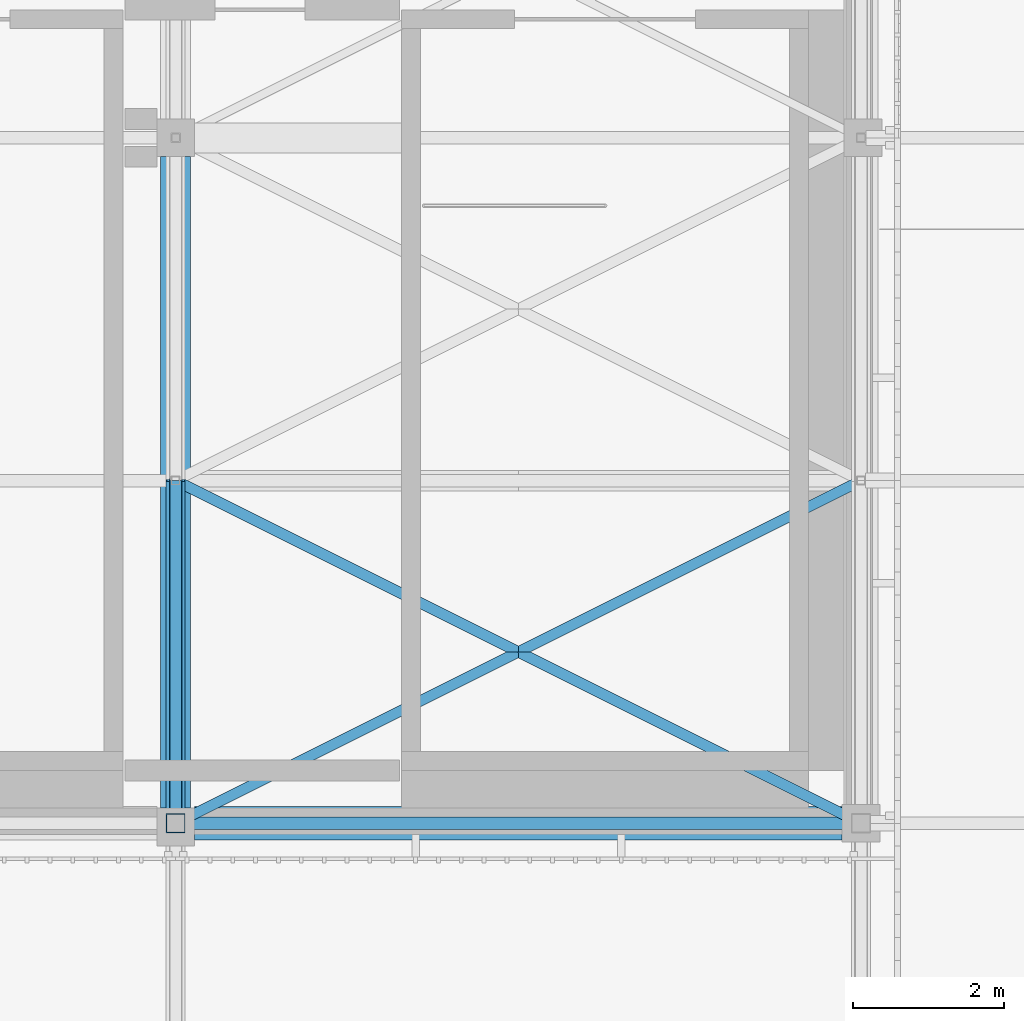
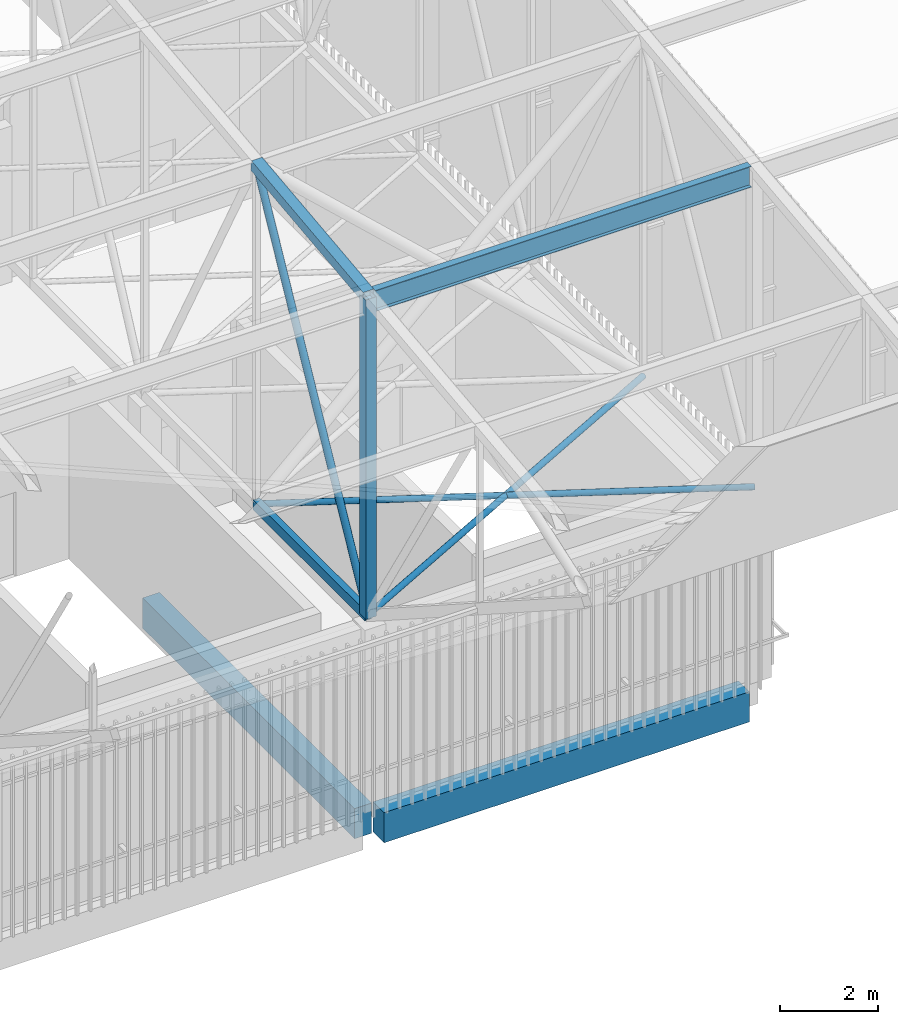
# One storey, part 332 of 500: 7 members, 2 beams.
"""IFC4 building model written with IfcOpenShell, lengths in metres."""

import ifcopenshell
import ifcopenshell.guid

model = None  # the IFC model being written
_history = None  # IfcOwnerHistory: only IFC2X3 demands one
_inside = {}  # id of a spatial element -> (the spatial element, [elements in it])
_under = {}  # id of a project, library or spatial element -> (it, [spatial elements below it])
_declared = {}  # id of a project -> (the project, [libraries it declares])
_typed = {}  # id of a type object -> (the type object, [elements of that type])
_made_of = {}  # id of a material, layer set ... -> (it, [elements and type objects made of it])


def new_model(schema):
    """Start an empty IFC model of exactly this schema.

    Asked for "IFC4X3", IfcOpenShell would pick the latest addendum, in which some entities
    have other attributes; the version numbers below select the first issue.
    IFC2X3 requires an IfcOwnerHistory on every rooted entity: one is made here for all.
    """
    global model, _history
    if schema == "IFC4X3":
        model = ifcopenshell.file(schema_version=(4, 3, 0, 0))
    else:
        model = ifcopenshell.file(schema=schema)
    _inside.clear()
    _under.clear()
    _declared.clear()
    _typed.clear()
    _made_of.clear()
    _history = None
    if model.schema == "IFC2X3":
        org = make("IfcOrganization", Name="unknown")
        user = make(
            "IfcPersonAndOrganization",
            ThePerson=make("IfcPerson", FamilyName="unknown"),
            TheOrganization=org,
        )
        app = make(
            "IfcApplication",
            ApplicationDeveloper=org,
            Version="unknown",
            ApplicationFullName="unknown",
            ApplicationIdentifier="unknown",
        )
        _history = make(
            "IfcOwnerHistory",
            OwningUser=user,
            OwningApplication=app,
            ChangeAction="ADDED",
            CreationDate=0,
        )
    return model


def make(cls, **values):
    """One entity of the class cls with the attributes given. An attribute that is None is left unset."""
    return model.create_entity(
        cls, **{name: value for name, value in values.items() if value is not None}
    )


def rooted(cls, **values):
    """An entity with a GlobalId (a new one), such as an element, a storey or a relation."""
    return make(cls, GlobalId=ifcopenshell.guid.new(), OwnerHistory=_history, **values)


def si_unit(unit_type, name, prefix=None):
    """IfcSIUnit, for example si_unit("LENGTHUNIT", "METRE", prefix="MILLI")."""
    return make("IfcSIUnit", UnitType=unit_type, Prefix=prefix, Name=name)


def assignment(units):
    """IfcUnitAssignment: the units of a project."""
    return None if units is None else make("IfcUnitAssignment", Units=units)


def point(xyz):
    """IfcCartesianPoint."""
    return None if xyz is None else make("IfcCartesianPoint", Coordinates=xyz)


def direction(xyz):
    """IfcDirection."""
    return None if xyz is None else make("IfcDirection", DirectionRatios=xyz)


def frame(location, z_axis=None, x_axis=None):
    """IfcAxis2Placement3D, a coordinate frame: its origin and axes. An axis left out is left unset."""
    return make(
        "IfcAxis2Placement3D",
        Location=point(location),
        Axis=direction(z_axis),
        RefDirection=direction(x_axis),
    )


def frame_2d(location, x_axis=None):
    """IfcAxis2Placement2D, a coordinate frame in the plane: its origin and x axis."""
    return make(
        "IfcAxis2Placement2D", Location=point(location), RefDirection=direction(x_axis)
    )


def origin():
    """The frame at (0, 0, 0) with its axes left unset."""
    return frame((0.0, 0.0, 0.0))


def origin_2d():
    """The frame at (0, 0) in the plane with its x axis left unset."""
    return frame_2d((0.0, 0.0))


def place(relative_to, where):
    """IfcLocalPlacement: puts the frame where relative to a parent placement (None: the world)."""
    return make(
        "IfcLocalPlacement", PlacementRelTo=relative_to, RelativePlacement=where
    )


def context(
    kind, dimensions, precision=None, world=None, true_north=None, identifier=None
):
    """IfcGeometricRepresentationContext, for example the 3D "Model" context."""
    return make(
        "IfcGeometricRepresentationContext",
        ContextIdentifier=identifier,
        ContextType=kind,
        CoordinateSpaceDimension=dimensions,
        Precision=precision,
        WorldCoordinateSystem=world,
        TrueNorth=true_north,
    )


def subcontext(parent, identifier, kind, view, scale=None):
    """IfcGeometricRepresentationSubContext, for example "Body" below "Model"."""
    return make(
        "IfcGeometricRepresentationSubContext",
        ContextIdentifier=identifier,
        ContextType=kind,
        ParentContext=parent,
        TargetScale=scale,
        TargetView=view,
    )


def project(units=None, contexts=None):
    """IfcProject with its units and contexts."""
    return rooted(
        "IfcProject",
        Name="project",
        RepresentationContexts=contexts,
        UnitsInContext=assignment(units),
    )


def spatial(cls, under=None, at=None, **own):
    """A site, building, storey or space (cls), placed at a placement, below another one or the project."""
    s = rooted(cls, ObjectPlacement=at, **own)
    if under is not None:
        _under.setdefault(under.id(), (under, []))[1].append(s)
    return s


def profile(cls, at=None, kind="AREA", **sizes):
    """A parametric profile (cls). Its sizes go by their IFC names, for example OverallWidth=200.0."""
    return make(cls, ProfileType=kind, Position=at, **sizes)


def rectangle(**sizes):
    """IfcRectangleProfileDef."""
    return profile("IfcRectangleProfileDef", **sizes)


def hollow_rectangle(**sizes):
    """IfcRectangleHollowProfileDef."""
    return profile("IfcRectangleHollowProfileDef", **sizes)


def hollow_circle(**sizes):
    """IfcCircleHollowProfileDef."""
    return profile("IfcCircleHollowProfileDef", **sizes)


def i_section(**sizes):
    """IfcIShapeProfileDef."""
    return profile("IfcIShapeProfileDef", **sizes)


def extrude(swept, where, along, depth):
    """IfcExtrudedAreaSolid: the profile swept, set in the frame where, extruded along a direction by depth."""
    return make(
        "IfcExtrudedAreaSolid",
        SweptArea=swept,
        Position=where,
        ExtrudedDirection=direction(along),
        Depth=depth,
    )


def shape(context_of_items, identifier, shape_type, items):
    """IfcShapeRepresentation: the items that make up one representation, for example the "Body"."""
    return make(
        "IfcShapeRepresentation",
        ContextOfItems=context_of_items,
        RepresentationIdentifier=identifier,
        RepresentationType=shape_type,
        Items=items,
    )


def material(Name=None, Category=None):
    """IfcMaterial."""
    return make("IfcMaterial", Name=Name, Category=Category)


def material_profile(
    of_material, cross_section, Name=None, Category=None, Priority=None
):
    """IfcMaterialProfile: a cross section and its material."""
    return make(
        "IfcMaterialProfile",
        Name=Name,
        Material=of_material,
        Profile=cross_section,
        Priority=Priority,
        Category=Category,
    )


def profile_set(profiles, Name=None, composite=None):
    """IfcMaterialProfileSet."""
    return make(
        "IfcMaterialProfileSet",
        Name=Name,
        MaterialProfiles=profiles,
        CompositeProfile=composite,
    )


def made_of(thing, what):
    """Note that an element or type object is made of a material, layer set ...; save() writes the relation."""
    if what is not None:
        _made_of.setdefault(what.id(), (what, []))[1].append(thing)
    return thing


def type_object(cls, material=None, **own):
    """A type object (cls), such as IfcWallType, which elements share."""
    return made_of(rooted(cls, **own), material)


def element(
    cls,
    number,
    at=None,
    inside=None,
    cuts=None,
    type_object=None,
    material=None,
    context=None,
    identifier="Body",
    shape_type=None,
    held_by="IfcProductDefinitionShape",
    body=None,
    shapes=None,
    **own,
):
    """One element of the class cls, such as IfcWall. Its Tag is "e" and its number.

    at: its placement. inside: the storey or other place that contains it. cuts: it is an
    opening in that element (IfcRelVoidsElement). A single representation is given by context,
    identifier, shape_type and body (its items); several are given by shapes. held_by: the class
    of the entity that holds the representations. save() writes the other relations.
    """
    e = rooted(cls, Tag="e%d" % number, ObjectPlacement=at, **own)
    if body is not None:
        shapes = [shape(context, identifier, shape_type, body)]
    if shapes is not None:
        e.Representation = make(held_by, Representations=shapes)
    if inside is not None:
        _inside.setdefault(inside.id(), (inside, []))[1].append(e)
    if cuts is not None:
        rooted(
            "IfcRelVoidsElement", RelatingBuildingElement=cuts, RelatedOpeningElement=e
        )
    if type_object is not None:
        _typed.setdefault(type_object.id(), (type_object, []))[1].append(e)
    return made_of(e, material)


def aggregate(whole, parts):
    """IfcRelAggregates: a whole, such as a stair, and the parts it consists of."""
    return rooted("IfcRelAggregates", RelatingObject=whole, RelatedObjects=parts)


def save(model, path):
    """Write the relations noted so far, then the file.

    IfcRelAggregates (storeys below a building ...), IfcRelContainedInSpatialStructure (elements
    in a storey), IfcRelDefinesByType, IfcRelAssociatesMaterial and IfcRelDeclares: one each for
    every whole, place, type object, material and project.
    """
    for whole, parts in _under.values():
        aggregate(whole, parts)
    for where, things in _inside.values():
        rooted(
            "IfcRelContainedInSpatialStructure",
            RelatedElements=things,
            RelatingStructure=where,
        )
    for kind, things in _typed.values():
        rooted("IfcRelDefinesByType", RelatedObjects=things, RelatingType=kind)
    for what, things in _made_of.values():
        rooted("IfcRelAssociatesMaterial", RelatedObjects=things, RelatingMaterial=what)
    for by, libraries in _declared.values():
        rooted("IfcRelDeclares", RelatingContext=by, RelatedDefinitions=libraries)
    model.write(path)


model = new_model("IFC4")

# Units and contexts
model_context = context("Model", 3, precision=1e-05, world=origin(), true_north=direction((0.0, 1.0)))
body_context = subcontext(model_context, "Body", "Model", "MODEL_VIEW")
ifc_project = project(units=[si_unit("LENGTHUNIT", "METRE"), si_unit("AREAUNIT", "SQUARE_METRE"), si_unit("VOLUMEUNIT", "CUBIC_METRE"), si_unit("PLANEANGLEUNIT", "RADIAN"), si_unit("MASSUNIT", "GRAM", prefix="KILO")], contexts=[model_context])

# Site, building, storey
site_placement = place(None, origin())
site = spatial("IfcSite", under=ifc_project, at=site_placement, CompositionType="ELEMENT")
building_placement = place(site_placement, origin())
building = spatial("IfcBuilding", under=site, at=building_placement, Name="Shirokan Park Arena", CompositionType="ELEMENT")
storey_placement = place(building_placement, frame((0.0, 0.0, 29.1201171875)))
storey = spatial("IfcBuildingStorey", under=building, at=storey_placement, Name="L06", CompositionType="ELEMENT", Elevation=29.1201171875)

# Members
ifc_material_1 = material(Name="Steel ASTM A500 Grade C", Category="steel")
ifc_material_profile_1 = material_profile(ifc_material_1, hollow_rectangle(XDim=0.152099609375, YDim=0.25390625, WallThickness=0.009521484375, at=origin_2d()), Name="HSS254X152.4X9.5")
ifc_profile_set_1 = profile_set([ifc_material_profile_1], Name="Steel ASTM A500 Grade C")
member_type_1 = type_object("IfcMemberType", Name="Bottom chord HSS254X152.4X9.5", PredefinedType="CHORD", material=ifc_profile_set_1)
member_1_placement = place(storey_placement, frame((136.5, 0.0, 4.677001953125), z_axis=(0.0, 1.0, 0.0), x_axis=(-1.0, 0.0, 0.0)))
element("IfcMember", 1, at=member_1_placement, inside=storey, type_object=member_type_1, Name="Truss T16 bottom chord 3", PredefinedType="CHORD", context=body_context, shape_type="SweptSolid", body=[
    extrude(hollow_rectangle(XDim=0.152099609375, YDim=0.25390625, WallThickness=0.009521484375, at=origin_2d()), origin(), (0.0, 0.0, 1.0), 4.550048828125),
])
ifc_material_profile_2 = material_profile(ifc_material_1, hollow_circle(Radius=0.070556640625, WallThickness=0.009521484375, at=origin_2d()), Name="HSS141.3X9.5")
ifc_profile_set_2 = profile_set([ifc_material_profile_2], Name="Steel ASTM A500 Grade C")
member_type_2 = type_object("IfcMemberType", Name="Plan bracing HSS141.3X9.5", PredefinedType="BRACE", material=ifc_profile_set_2)
for number, where, z_axis, x_axis, name in (
    (2, (136.5, 0.0, 4.677001953125), (0.894427191, 0.4472135955, 0.0), (-0.4472135955, 0.894427191, 0.0), "Plan bracing bay 16 panel 3 A"),
    (3, (145.60009765625, 0.0, 4.677001953125), (-0.894427191, 0.4472135955, 0.0), (-0.4472135955, -0.894427191, 0.0), "Plan bracing bay 16 panel 3 B"),
):
    element("IfcMember", number, at=place(storey_placement, frame(where, z_axis=z_axis, x_axis=x_axis)), inside=storey, type_object=member_type_2, Name=name, PredefinedType="BRACE", context=body_context, shape_type="SweptSolid", body=[
        extrude(hollow_circle(Radius=0.070556640625, WallThickness=0.009521484375, at=origin_2d()), origin(), (0.0, 0.0, 1.0), 10.17431640625),
    ])
ifc_material_2 = material(Name="Steel ASTM A992", Category="steel")
ifc_material_profile_3 = material_profile(ifc_material_2, i_section(OverallWidth=0.166015625, OverallDepth=0.528076171875, WebThickness=0.009765625, FlangeThickness=0.013671875, at=origin_2d()), Name="W530X74")
ifc_profile_set_3 = profile_set([ifc_material_profile_3], Name="Steel ASTM A992")
member_type_3 = type_object("IfcMemberType", Name="Purlin W530X74", PredefinedType="PURLIN", material=ifc_profile_set_3)
member_2_placement = place(storey_placement, frame((136.626953125, 0.0, 12.48583984375), z_axis=(1.0, 0.0, 0.0), x_axis=(0.0, 1.0, 0.0)))
element("IfcMember", 4, at=member_2_placement, inside=storey, type_object=member_type_3, Name="Purlin 3 bay 16", PredefinedType="PURLIN", context=body_context, shape_type="SweptSolid", body=[
    extrude(i_section(OverallWidth=0.166015625, OverallDepth=0.528076171875, WebThickness=0.009765625, FlangeThickness=0.013671875, at=origin_2d()), origin(), (0.0, 0.0, 1.0), 8.845947265625),
])

# Beams
ifc_material_3 = material(Name="Concrete C35", Category="concrete")
ifc_material_profile_4 = material_profile(ifc_material_3, rectangle(XDim=0.39990234375, YDim=0.75, at=origin_2d()), Name="400x750")
ifc_profile_set_4 = profile_set([ifc_material_profile_4], Name="Concrete C35")
beam_type_1 = type_object("IfcBeamType", Name="RC girder 400x750", PredefinedType="BEAM", material=ifc_profile_set_4)
beam_1_placement = place(storey_placement, frame((136.5, 0.2001953125, -0.5751953125), z_axis=(0.0, 1.0, 0.0), x_axis=(-1.0, 0.0, 0.0)))
element("IfcBeam", 5, at=beam_1_placement, inside=storey, type_object=beam_type_1, Name="Girder 16A-16B L06", PredefinedType="BEAM", context=body_context, shape_type="SweptSolid", body=[
    extrude(rectangle(XDim=0.39990234375, YDim=0.75, at=origin_2d()), origin(), (0.0, 0.0, 1.0), 8.649658203125),
])
ifc_material_profile_5 = material_profile(ifc_material_3, rectangle(XDim=0.449951171875, YDim=0.75, at=origin_2d()), Name="450x750")
ifc_profile_set_5 = profile_set([ifc_material_profile_5], Name="Concrete C35")
beam_type_2 = type_object("IfcBeamType", Name="RC girder 450x750", PredefinedType="BEAM", material=ifc_profile_set_5)
beam_2_placement = place(storey_placement, frame((136.75, 0.0, -0.5751953125), z_axis=(1.0, 0.0, 0.0), x_axis=(0.0, 1.0, 0.0)))
element("IfcBeam", 6, at=beam_2_placement, inside=storey, type_object=beam_type_2, Name="Girder 16A-17A L06", PredefinedType="BEAM", context=body_context, shape_type="SweptSolid", body=[
    extrude(rectangle(XDim=0.449951171875, YDim=0.75, at=origin_2d()), origin(), (0.0, 0.0, 1.0), 8.599853515625),
])

# Members
ifc_material_profile_6 = material_profile(ifc_material_1, hollow_rectangle(XDim=0.25390625, YDim=0.25390625, WallThickness=0.009521484375, at=origin_2d()), Name="HSS254X254X9.5")
ifc_profile_set_6 = profile_set([ifc_material_profile_6], Name="Steel ASTM A500 Grade C")
member_type_4 = type_object("IfcMemberType", Name="Top chord HSS254X254X9.5", PredefinedType="CHORD", material=ifc_profile_set_6)
member_3_placement = place(storey_placement, frame((136.5, 0.0, 12.622802734375), z_axis=(0.0, 0.993532328996, 0.113549598152), x_axis=(-1.0, 0.0, 0.0)))
element("IfcMember", 7, at=member_3_placement, inside=storey, type_object=member_type_4, Name="Truss T16 top chord 3", PredefinedType="CHORD", context=body_context, shape_type="SweptSolid", body=[
    extrude(hollow_rectangle(XDim=0.25390625, YDim=0.25390625, WallThickness=0.009521484375, at=origin_2d()), origin(), (0.0, 0.0, 1.0), 4.57958984375),
])
ifc_material_profile_7 = material_profile(ifc_material_1, hollow_circle(Radius=0.083984375, WallThickness=0.009521484375, at=origin_2d()), Name="HSS168.3X9.5")
ifc_profile_set_7 = profile_set([ifc_material_profile_7], Name="Steel ASTM A500 Grade C")
member_type_5 = type_object("IfcMemberType", Name="Truss diagonal HSS168.3X9.5", PredefinedType="BRACE", material=ifc_profile_set_7)
member_4_placement = place(storey_placement, frame((136.5, 0.0, 4.677001953125), z_axis=(0.0, 0.473416507165, 0.880838697347), x_axis=(-1.0, 0.0, 0.0)))
element("IfcMember", 8, at=member_4_placement, inside=storey, type_object=member_type_5, Name="Truss T16 diagonal 3", PredefinedType="BRACE", context=body_context, shape_type="SweptSolid", body=[
    extrude(hollow_circle(Radius=0.083984375, WallThickness=0.009521484375, at=origin_2d()), origin(), (0.0, 0.0, 1.0), 9.611083984375),
])
ifc_material_profile_8 = material_profile(ifc_material_1, hollow_rectangle(XDim=0.25390625, YDim=0.25390625, WallThickness=0.009521484375, at=origin_2d()), Name="HSS254X254X9.5")
ifc_profile_set_8 = profile_set([ifc_material_profile_8], Name="Steel ASTM A500 Grade C")
member_type_6 = type_object("IfcMemberType", Name="Truss post HSS254X254X9.5", PredefinedType="POST", material=ifc_profile_set_8)
member_5_placement = place(storey_placement, frame((136.5, 0.0, 4.677001953125), z_axis=(0.0, 0.0, 1.0), x_axis=(1.0, 0.0, 0.0)))
element("IfcMember", 9, at=member_5_placement, inside=storey, type_object=member_type_6, Name="Truss T16 post 3", PredefinedType="POST", context=body_context, shape_type="SweptSolid", body=[
    extrude(hollow_rectangle(XDim=0.25390625, YDim=0.25390625, WallThickness=0.009521484375, at=origin_2d()), origin(), (0.0, 0.0, 1.0), 7.94580078125),
])

save(model, "model.ifc")
